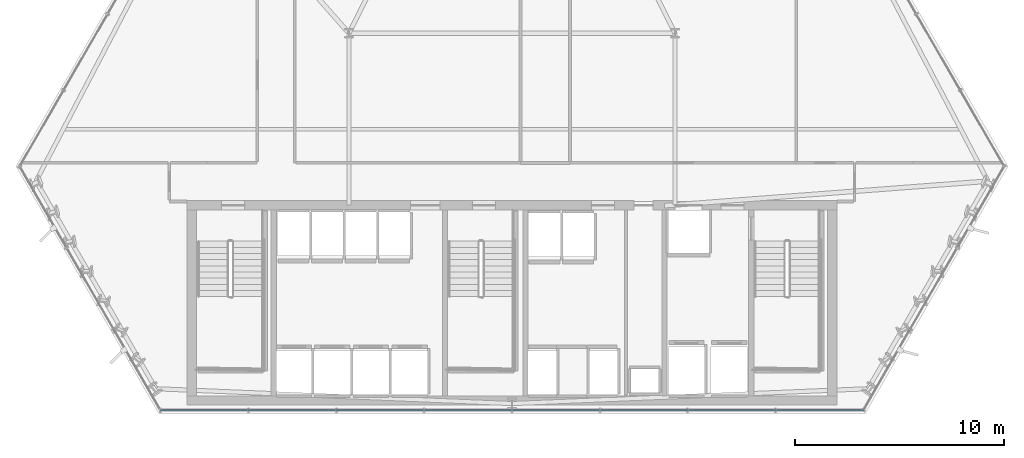
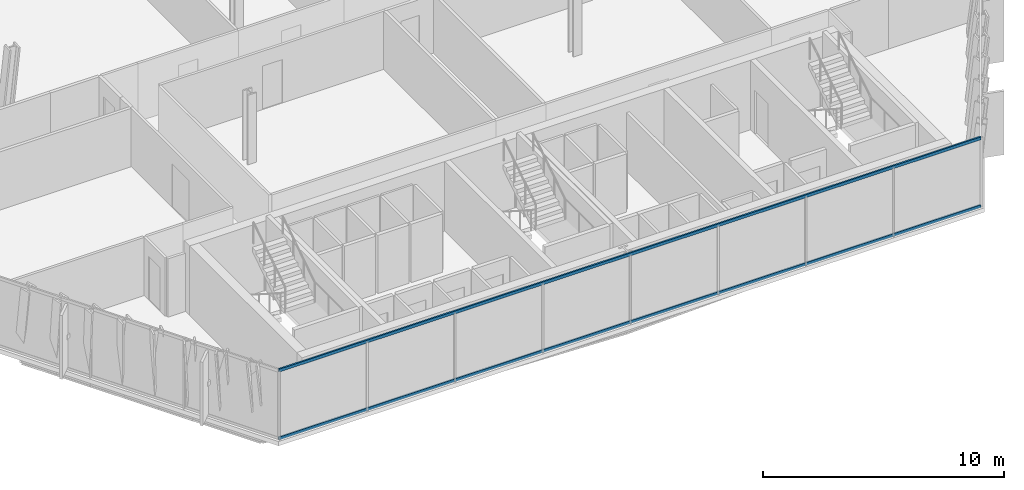
# One storey, part 8 of 31: 2 members, 1 element without a shape of its own.
"""IFC4 building model written with IfcOpenShell, lengths in metres."""

from ifc_helpers import new_model, si_unit, direction, frame, origin, origin_2d, place, context, subcontext, project, spatial, hollow_rectangle, extrude, material, layer, layer_set, material_profile, profile_set, type_object, element, aggregate, save


model = new_model("IFC4")

# Units and contexts
model_context = context("Model", 3, precision=1e-05, world=origin(), true_north=direction((0.0, 1.0)))
body_context = subcontext(model_context, "Body", "Model", "MODEL_VIEW")
ifc_project = project(units=[si_unit("LENGTHUNIT", "METRE"), si_unit("AREAUNIT", "SQUARE_METRE"), si_unit("VOLUMEUNIT", "CUBIC_METRE"), si_unit("PLANEANGLEUNIT", "RADIAN"), si_unit("MASSUNIT", "GRAM", prefix="KILO")], contexts=[model_context])

# Site, building, storey
site_placement = place(None, origin())
site = spatial("IfcSite", under=ifc_project, at=site_placement, CompositionType="ELEMENT")
building_placement = place(site_placement, origin())
building = spatial("IfcBuilding", under=site, at=building_placement, Name="Ndaravel Arena Tower", CompositionType="ELEMENT")
storey_placement = place(building_placement, frame((0.0, 0.0, 108.199951171875)))
storey = spatial("IfcBuildingStorey", under=building, at=storey_placement, Name="L25", CompositionType="ELEMENT", Elevation=108.199951171875)

# Curtain wall, members
ifc_material_1 = material(Name="Aluminium", Category="aluminium")
ifc_layer = layer(ifc_material_1, 0.179931640625)
ifc_layer_set = layer_set([ifc_layer], Name="Aluminium")
curtain_wall_type = type_object("IfcCurtainWallType", Name="CW-SYS-03", PredefinedType="NOTDEFINED", material=ifc_layer_set)
curtain_wall_placement = place(storey_placement, origin())
curtain_wall = element("IfcCurtainWall", 1, at=curtain_wall_placement, inside=storey, type_object=curtain_wall_type, Name="L25 Faceted Crystal Curtain Wall CW-L25-E01", PredefinedType="NOTDEFINED")
ifc_material_2 = material(Name="Aluminium", Category="aluminium")
ifc_material_profile = material_profile(ifc_material_2, hollow_rectangle(XDim=0.074951171875, YDim=0.14990234375, WallThickness=0.00390625, at=origin_2d()), Name="CW TRANSOM 75x150x4")
ifc_profile_set = profile_set([ifc_material_profile], Name="Aluminium")
member_type = type_object("IfcMemberType", Name="MEM-CW-TRN150", PredefinedType="USERDEFINED", material=ifc_profile_set)
member_1_placement = place(storey_placement, frame((25.181884765625, 5.159912109375, 0.0400390625), z_axis=(1.0, 0.0, 0.0), x_axis=(0.0, 1.0, 0.0)))
member_1 = element("IfcMember", 2, at=member_1_placement, type_object=member_type, Name="CW-L25-E01 Transom 01", ObjectType="TRANSOM", PredefinedType="USERDEFINED", context=body_context, shape_type="SweptSolid", body=[
    extrude(hollow_rectangle(XDim=0.074951171875, YDim=0.14990234375, WallThickness=0.00390625, at=origin_2d()), origin(), (0.0, 0.0, 1.0), 33.63623046875),
])
member_2_placement = place(storey_placement, frame((25.181884765625, 5.159912109375, 3.47998046875), z_axis=(1.0, 0.0, 0.0), x_axis=(0.0, 1.0, 0.0)))
member_2 = element("IfcMember", 3, at=member_2_placement, type_object=member_type, Name="CW-L25-E01 Transom 02", ObjectType="TRANSOM", PredefinedType="USERDEFINED", context=body_context, shape_type="SweptSolid", body=[
    extrude(hollow_rectangle(XDim=0.074951171875, YDim=0.14990234375, WallThickness=0.00390625, at=origin_2d()), origin(), (0.0, 0.0, 1.0), 33.63623046875),
])
aggregate(curtain_wall, [member_1, member_2])

save(model, "model.ifc")
